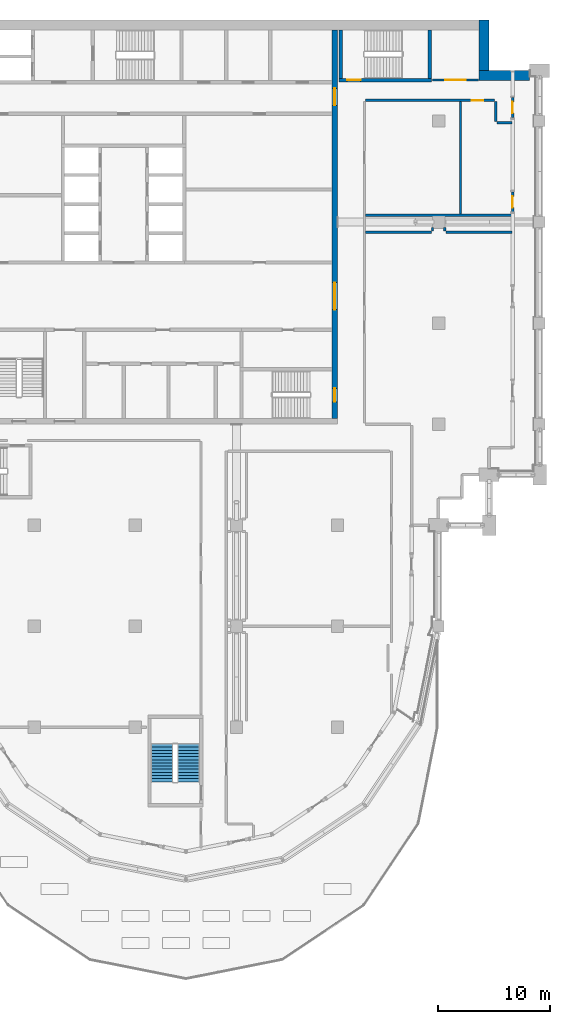
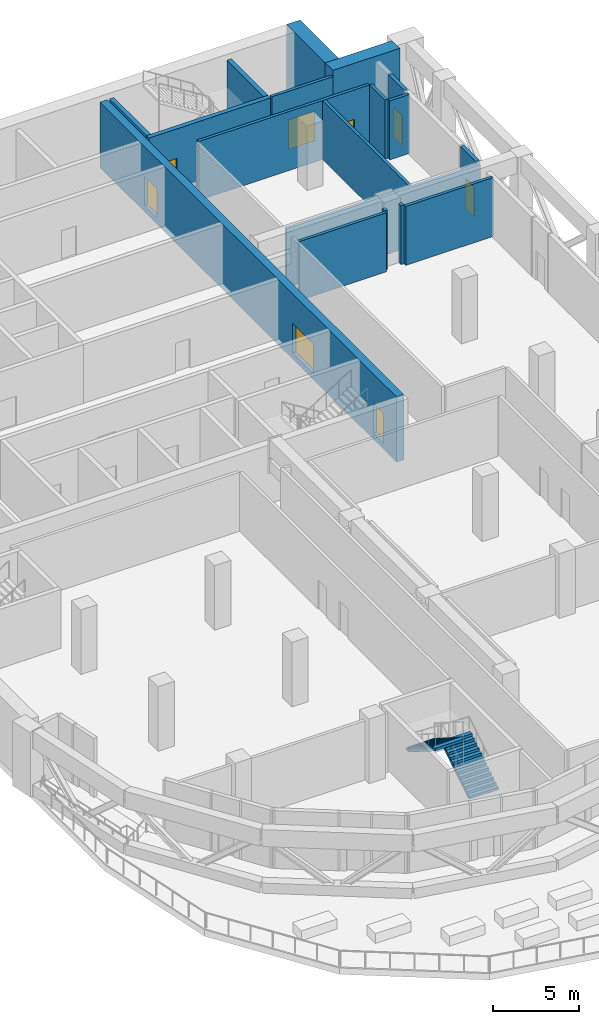
# One storey, part 9 of 16: 18 walls, 8 doors, 2 stair flights, 8 openings, 1 element without a shape of its own.
"""IFC4 building model written with IfcOpenShell, lengths in metres."""

from ifc_helpers import new_model, si_unit, direction, frame, frame_2d, origin, place, context, subcontext, project, spatial, polyline, rectangle, outline, extrude, material, layer, layer_set, type_object, element, fill, aggregate, save


model = new_model("IFC4")

# Units and contexts
model_context = context("Model", 3, precision=1e-05, world=origin(), true_north=direction((0.0, 1.0)))
body_context = subcontext(model_context, "Body", "Model", "MODEL_VIEW")
ifc_project = project(units=[si_unit("LENGTHUNIT", "METRE"), si_unit("AREAUNIT", "SQUARE_METRE"), si_unit("VOLUMEUNIT", "CUBIC_METRE"), si_unit("PLANEANGLEUNIT", "RADIAN"), si_unit("MASSUNIT", "GRAM", prefix="KILO")], contexts=[model_context])

# Site, building, storey
site_placement = place(None, origin())
site = spatial("IfcSite", under=ifc_project, at=site_placement, CompositionType="ELEMENT")
building_placement = place(site_placement, origin())
building = spatial("IfcBuilding", under=site, at=building_placement, Name="Hunhe Ridgeline Campus", CompositionType="ELEMENT")
storey_placement = place(building_placement, frame((0.0, 0.0, 227.199951171875)))
storey = spatial("IfcBuildingStorey", under=building, at=storey_placement, Name="L58", CompositionType="ELEMENT", Elevation=227.199951171875)

# Wall, openings, doors
ifc_material_1 = material(Name="Concrete C50", Category="concrete")
ifc_layer_1 = layer(ifc_material_1, 0.5)
ifc_layer_set_1 = layer_set([ifc_layer_1], Name="Core wall 500 reinforced concrete C50")
wall_type_1 = type_object("IfcWallType", Name="Core wall 500 reinforced concrete C50", PredefinedType="SOLIDWALL", material=ifc_layer_set_1)
wall_1_placement = place(storey_placement, frame((35.75, 63.5, -0.449951171875), z_axis=(0.0, 0.0, 1.0), x_axis=(0.0, 1.0, 0.0)))
wall_1 = element("IfcWall", 1, at=wall_1_placement, inside=storey, type_object=wall_type_1, Name="L58 core wall 49", PredefinedType="SOLIDWALL", context=body_context, shape_type="SweptSolid", body=[
    extrude(rectangle(XDim=34.60009765625, YDim=0.5, at=frame_2d((17.300048828125, 0.0))), origin(), (0.0, 0.0, 1.0), 4.64990234375),
])
opening_1_placement = place(wall_1_placement, frame((9.699951171875, 0.0, 0.449951171875)))
opening_1 = element("IfcOpeningElement", 2, at=opening_1_placement, cuts=wall_1, Name="Opening CD4", PredefinedType="OPENING", context=body_context, shape_type="SweptSolid", body=[
    extrude(rectangle(XDim=2.39990234375, YDim=2.10009765625, at=frame_2d((1.199951171875, 1.050048828125))), frame((0.0, 0.25, 0.0), z_axis=(0.0, -1.0, 0.0), x_axis=(1.0, 0.0, 0.0)), (0.0, 0.0, 1.0), 0.5),
])
opening_2_placement = place(wall_1_placement, frame((27.89990234375, 0.0, 0.449951171875)))
opening_2 = element("IfcOpeningElement", 3, at=opening_2_placement, cuts=wall_1, Name="Opening CD5", PredefinedType="OPENING", context=body_context, shape_type="SweptSolid", body=[
    extrude(rectangle(XDim=1.5, YDim=2.10009765625, at=frame_2d((0.75, 1.050048828125))), frame((0.0, 0.25, 0.0), z_axis=(0.0, -1.0, 0.0), x_axis=(1.0, 0.0, 0.0)), (0.0, 0.0, 1.0), 0.5),
])
opening_3_placement = place(wall_1_placement, frame((1.5, 0.0, 0.449951171875)))
opening_3 = element("IfcOpeningElement", 4, at=opening_3_placement, cuts=wall_1, Name="Opening CD15", PredefinedType="OPENING", context=body_context, shape_type="SweptSolid", body=[
    extrude(rectangle(XDim=1.199951171875, YDim=2.10009765625, at=frame_2d((0.60009765625, 1.050048828125))), frame((0.0, 0.25, 0.0), z_axis=(0.0, -1.0, 0.0), x_axis=(1.0, 0.0, 0.0)), (0.0, 0.0, 1.0), 0.5),
])
ifc_material_2 = material(Name="Anodised aluminium and glass", Category="aluminium")
door_type_1 = type_object("IfcDoorType", Name="Glazed double door 2400x2100", OperationType="DOUBLE_DOOR_SINGLE_SWING", PredefinedType="DOOR", material=ifc_material_2)
door_1_placement = place(opening_1_placement, frame((2.39990234375, 0.0, 0.0), z_axis=(0.0, 0.0, 1.0), x_axis=(-1.0, 0.0, 0.0)))
door_1 = element("IfcDoor", 5, at=door_1_placement, inside=storey, type_object=door_type_1, Name="L58 door HALL-FLOOR", OperationType="DOUBLE_DOOR_SINGLE_SWING", OverallHeight=2.10009765625, OverallWidth=2.39990234375, PredefinedType="DOOR", context=body_context, shape_type="SweptSolid", body=[
    extrude(rectangle(XDim=2.39990234375, YDim=2.10009765625, at=frame_2d((1.199951171875, 1.050048828125))), frame((0.0, 0.02490234375, 0.0), z_axis=(0.0, -1.0, 0.0), x_axis=(1.0, 0.0, 0.0)), (0.0, 0.0, 1.0), 0.050048828125),
])
fill(opening_1, door_1)
ifc_material_3 = material(Name="Hollow metal fire door leaf")
door_type_2 = type_object("IfcDoorType", Name="Stair door 1200x2100 FD60", OperationType="SINGLE_SWING_LEFT", PredefinedType="DOOR", material=ifc_material_3)
door_2_placement = place(opening_3_placement, frame((1.199951171875, 0.0, 0.0), z_axis=(0.0, 0.0, 1.0), x_axis=(-1.0, 0.0, 0.0)))
door_2 = element("IfcDoor", 6, at=door_2_placement, inside=storey, type_object=door_type_2, Name="L58 door S2-FLOOR", OperationType="SINGLE_SWING_LEFT", OverallHeight=2.10009765625, OverallWidth=1.199951171875, PredefinedType="DOOR", context=body_context, shape_type="SweptSolid", body=[
    extrude(rectangle(XDim=1.199951171875, YDim=2.10009765625, at=frame_2d((0.60009765625, 1.050048828125))), frame((0.0, 0.02490234375, 0.0), z_axis=(0.0, -1.0, 0.0), x_axis=(1.0, 0.0, 0.0)), (0.0, 0.0, 1.0), 0.050048828125),
])
fill(opening_3, door_2)
ifc_material_4 = material(Name="Solid core timber door leaf", Category="wood")
door_type_3 = type_object("IfcDoorType", Name="Timber door 1500x2100", OperationType="SINGLE_SWING_LEFT", PredefinedType="DOOR", material=ifc_material_4)
door_3_placement = place(opening_2_placement, frame((1.5, 0.0, 0.0), z_axis=(0.0, 0.0, 1.0), x_axis=(-1.0, 0.0, 0.0)))
door_3 = element("IfcDoor", 7, at=door_3_placement, inside=storey, type_object=door_type_3, Name="L58 door C1-FLOOR", OperationType="SINGLE_SWING_LEFT", OverallHeight=2.10009765625, OverallWidth=1.5, PredefinedType="DOOR", context=body_context, shape_type="SweptSolid", body=[
    extrude(rectangle(XDim=1.5, YDim=2.10009765625, at=frame_2d((0.75, 1.050048828125))), frame((0.0, 0.02490234375, 0.0), z_axis=(0.0, -1.0, 0.0), x_axis=(1.0, 0.0, 0.0)), (0.0, 0.0, 1.0), 0.050048828125),
])
fill(opening_2, door_3)

# Walls
ifc_material_5 = material(Name="Gypsum board partition")
ifc_layer_2 = layer(ifc_material_5, 0.199951171875)
ifc_layer_set_2 = layer_set([ifc_layer_2], Name="Corridor partition 200 gypsum board on steel studs")
wall_type_2 = type_object("IfcWallType", Name="Corridor partition 200 gypsum board on steel studs", PredefinedType="PARTITIONING", material=ifc_layer_set_2)
wall_2_placement = place(storey_placement, frame((38.5, 80.10009765625, 0.0), z_axis=(0.0, 0.0, 1.0), x_axis=(1.0, 0.0, 0.0)))
element("IfcWall", 8, at=wall_2_placement, inside=storey, type_object=wall_type_2, Name="F-L58-wall-020", PredefinedType="PARTITIONING", context=body_context, shape_type="SweptSolid", body=[
    extrude(rectangle(XDim=5.85009765625, YDim=0.199951171875, at=frame_2d((2.925048828125, 0.0))), origin(), (0.0, 0.0, 1.0), 4.199951171875),
])
wall_3_placement = place(storey_placement, frame((45.64990234375, 80.10009765625, 0.0), z_axis=(0.0, 0.0, 1.0), x_axis=(1.0, 0.0, 0.0)))
element("IfcWall", 9, at=wall_3_placement, inside=storey, type_object=wall_type_2, Name="F-L58-wall-021", PredefinedType="PARTITIONING", context=body_context, shape_type="SweptSolid", body=[
    extrude(rectangle(XDim=5.89501953125, YDim=0.199951171875, at=frame_2d((2.947509765625, 0.0))), origin(), (0.0, 0.0, 1.0), 4.199951171875),
])
wall_4_placement = place(storey_placement, frame((38.5, 81.60009765625, 0.0), z_axis=(0.0, 0.0, 1.0), x_axis=(1.0, 0.0, 0.0)))
element("IfcWall", 10, at=wall_4_placement, inside=storey, type_object=wall_type_2, Name="F-L58-wall-022", PredefinedType="PARTITIONING", context=body_context, shape_type="SweptSolid", body=[
    extrude(rectangle(XDim=13.044921875, YDim=0.199951171875, at=frame_2d((6.5224609375, 0.0))), origin(), (0.0, 0.0, 1.0), 4.199951171875),
])
wall_5_placement = place(storey_placement, frame((51.544921875, 89.85009765625, 0.0), z_axis=(0.0, 0.0, 1.0), x_axis=(-1.0, 0.0, 0.0)))
element("IfcWall", 11, at=wall_5_placement, inside=storey, type_object=wall_type_2, Name="F-L58-wall-023", PredefinedType="PARTITIONING", context=body_context, shape_type="SweptSolid", body=[
    extrude(rectangle(XDim=1.345947265625, YDim=0.199951171875, at=frame_2d((0.6728515625, 0.0))), origin(), (0.0, 0.0, 1.0), 4.199951171875),
])

# Wall, opening, door
wall_6_placement = place(storey_placement, frame((49.9990234375, 91.85009765625, 0.0), z_axis=(0.0, 0.0, 1.0), x_axis=(-1.0, 0.0, 0.0)))
wall_6 = element("IfcWall", 12, at=wall_6_placement, inside=storey, type_object=wall_type_2, Name="F-L58-wall-024", PredefinedType="PARTITIONING", context=body_context, shape_type="SweptSolid", body=[
    extrude(rectangle(XDim=11.4990234375, YDim=0.199951171875, at=frame_2d((5.74951171875, 0.0))), origin(), (0.0, 0.0, 1.0), 4.199951171875),
])
opening_4_placement = place(wall_6_placement, frame((1.033203125, 0.0, 0.0)))
opening_4 = element("IfcOpeningElement", 13, at=opening_4_placement, cuts=wall_6, Name="Opening RD1-011", PredefinedType="OPENING", context=body_context, shape_type="SweptSolid", body=[
    extrude(rectangle(XDim=1.0, YDim=2.10009765625, at=frame_2d((0.5, 1.050048828125))), frame((0.0, 0.10009765625, 0.0), z_axis=(0.0, -1.0, 0.0), x_axis=(1.0, 0.0, 0.0)), (0.0, 0.0, 1.0), 0.199951171875),
])
ifc_material_6 = material(Name="Timber door leaf", Category="wood")
door_type_4 = type_object("IfcDoorType", Name="Single fire door 1000x2100 timber FD60", OperationType="NOTDEFINED", PredefinedType="DOOR", material=ifc_material_6)
door_4_placement = place(opening_4_placement, frame((1.0, 0.0, 0.0), z_axis=(0.0, 0.0, 1.0), x_axis=(-1.0, 0.0, 0.0)))
door_4 = element("IfcDoor", 14, at=door_4_placement, inside=storey, type_object=door_type_4, Name="F-L58-door-011", OperationType="SINGLE_SWING_RIGHT", OverallHeight=2.10009765625, OverallWidth=1.0, PredefinedType="DOOR", context=body_context, shape_type="SweptSolid", body=[
    extrude(rectangle(XDim=1.0, YDim=2.10009765625, at=frame_2d((0.5, 1.050048828125))), frame((0.0, 0.02490234375, 0.0), z_axis=(0.0, -1.0, 0.0), x_axis=(1.0, 0.0, 0.0)), (0.0, 0.0, 1.0), 0.050048828125),
])
fill(opening_4, door_4)

wall_7_placement = place(storey_placement, frame((44.4541015625, 93.64990234375, 0.0), z_axis=(0.0, 0.0, 1.0), x_axis=(1.0, 0.0, 0.0)))
wall_7 = element("IfcWall", 15, at=wall_7_placement, inside=storey, type_object=wall_type_2, Name="F-L58-wall-025", PredefinedType="PARTITIONING", context=body_context, shape_type="SweptSolid", body=[
    extrude(rectangle(XDim=4.121826171875, YDim=0.199951171875, at=frame_2d((2.06103515625, 0.0))), origin(), (0.0, 0.0, 1.0), 4.199951171875),
])
opening_5_placement = place(wall_7_placement, frame((1.160888671875, 0.0, 0.0)))
opening_5 = element("IfcOpeningElement", 16, at=opening_5_placement, cuts=wall_7, Name="Opening RD2-012", PredefinedType="OPENING", context=body_context, shape_type="SweptSolid", body=[
    extrude(rectangle(XDim=1.800048828125, YDim=2.10009765625, at=frame_2d((0.89990234375, 1.050048828125))), frame((0.0, 0.10009765625, 0.0), z_axis=(0.0, -1.0, 0.0), x_axis=(1.0, 0.0, 0.0)), (0.0, 0.0, 1.0), 0.199951171875),
])
door_type_5 = type_object("IfcDoorType", Name="Double fire door 1800x2100 timber FD60", OperationType="DOUBLE_DOOR_SINGLE_SWING", PredefinedType="DOOR", material=ifc_material_6)
door_5_placement = place(opening_5_placement, origin())
door_5 = element("IfcDoor", 17, at=door_5_placement, inside=storey, type_object=door_type_5, Name="F-L58-door-012", OperationType="DOUBLE_DOOR_SINGLE_SWING", OverallHeight=2.10009765625, OverallWidth=1.800048828125, PredefinedType="DOOR", context=body_context, shape_type="SweptSolid", body=[
    extrude(rectangle(XDim=1.800048828125, YDim=2.10009765625, at=frame_2d((0.89990234375, 1.050048828125))), frame((0.0, 0.02490234375, 0.0), z_axis=(0.0, -1.0, 0.0), x_axis=(1.0, 0.0, 0.0)), (0.0, 0.0, 1.0), 0.050048828125),
])
fill(opening_5, door_5)

# Walls
for number, where, z_axis, x_axis, name in (
    (18, (44.449951171875, 80.5, 0.0), (0.0, 0.0, 1.0), (0.0, -1.0, 0.0), "F-L58-wall-038"),
    (19, (45.550048828125, 80.5, 0.0), (0.0, 0.0, 1.0), (0.0, -1.0, 0.0), "F-L58-wall-039"),
):
    element("IfcWall", number, at=place(storey_placement, frame(where, z_axis=z_axis, x_axis=x_axis)), inside=storey, type_object=wall_type_2, Name=name, PredefinedType="PARTITIONING", context=body_context, shape_type="SweptSolid", body=[
        extrude(rectangle(XDim=0.300048828125, YDim=0.199951171875, at=frame_2d((0.14990234375, 0.0))), origin(), (0.0, 0.0, 1.0), 4.199951171875),
    ])
wall_8_placement = place(storey_placement, frame((46.943115234375, 91.75, 0.0), z_axis=(0.0, 0.0, 1.0), x_axis=(0.0, -1.0, 0.0)))
element("IfcWall", 20, at=wall_8_placement, inside=storey, type_object=wall_type_2, Name="F-L58-wall-040", PredefinedType="PARTITIONING", context=body_context, shape_type="SweptSolid", body=[
    extrude(rectangle(XDim=10.050048828125, YDim=0.199951171875, at=frame_2d((5.02490234375, 0.0))), origin(), (0.0, 0.0, 1.0), 4.199951171875),
])
wall_9_placement = place(storey_placement, frame((50.09912109375, 89.949951171875, 0.0), z_axis=(0.0, 0.0, 1.0), x_axis=(0.0, 1.0, 0.0)))
element("IfcWall", 21, at=wall_9_placement, inside=storey, type_object=wall_type_2, Name="F-L58-wall-041", PredefinedType="PARTITIONING", context=body_context, shape_type="SweptSolid", body=[
    extrude(rectangle(XDim=1.800048828125, YDim=0.199951171875, at=frame_2d((0.89990234375, 0.0))), origin(), (0.0, 0.0, 1.0), 4.199951171875),
])

# Wall, opening, door
ifc_material_7 = material(Name="Concrete C30", Category="concrete")
ifc_layer_3 = layer(ifc_material_7, 0.25)
ifc_layer_set_3 = layer_set([ifc_layer_3], Name="Loggia door pier wall 250 Concrete C30")
wall_type_3 = type_object("IfcWallType", Name="Loggia door pier wall 250 Concrete C30", PredefinedType="SOLIDWALL", material=ifc_layer_set_3)
wall_10_placement = place(storey_placement, frame((51.59912109375, 81.900390625, 0.0), z_axis=(0.0, 0.0, 1.0), x_axis=(0.0, 1.0, 0.0)))
wall_10 = element("IfcWall", 22, at=wall_10_placement, inside=storey, type_object=wall_type_3, Name="Loggia door pier 12", PredefinedType="SOLIDWALL", context=body_context, shape_type="SweptSolid", body=[
    extrude(rectangle(XDim=1.800048828125, YDim=0.25, at=frame_2d((0.89990234375, 0.0))), origin(), (0.0, 0.0, 1.0), 4.199951171875),
])
opening_6_placement = place(wall_10_placement, frame((0.39990234375, 0.0, 0.0)))
opening_6 = element("IfcOpeningElement", 23, at=opening_6_placement, cuts=wall_10, Name="Opening BR512", PredefinedType="OPENING", context=body_context, shape_type="SweptSolid", body=[
    extrude(rectangle(XDim=1.0, YDim=2.10009765625, at=frame_2d((0.5, 1.050048828125))), frame((0.0, 0.125, 0.0), z_axis=(0.0, -1.0, 0.0), x_axis=(1.0, 0.0, 0.0)), (0.0, 0.0, 1.0), 0.25),
])
ifc_material_8 = material(Name="Aluminium 6063", Category="aluminium")
door_type_6 = type_object("IfcDoorType", Name="Loggia glazed door 1000x2100", OperationType="NOTDEFINED", PredefinedType="DOOR", material=ifc_material_8)
door_6_placement = place(opening_6_placement, frame((1.0, 0.0, 0.0), z_axis=(0.0, 0.0, 1.0), x_axis=(-1.0, 0.0, 0.0)))
door_6 = element("IfcDoor", 24, at=door_6_placement, inside=storey, type_object=door_type_6, Name="Loggia door BR512", OperationType="SINGLE_SWING_LEFT", OverallHeight=2.10009765625, OverallWidth=1.0, PredefinedType="DOOR", context=body_context, shape_type="SweptSolid", body=[
    extrude(rectangle(XDim=1.0, YDim=2.10009765625, at=frame_2d((0.5, 1.050048828125))), frame((0.0, 0.02490234375, 0.0), z_axis=(0.0, -1.0, 0.0), x_axis=(1.0, 0.0, 0.0)), (0.0, 0.0, 1.0), 0.050048828125),
])
fill(opening_6, door_6)

wall_11_placement = place(storey_placement, frame((51.59912109375, 90.300048828125, 0.0), z_axis=(0.0, 0.0, 1.0), x_axis=(0.0, 1.0, 0.0)))
wall_11 = element("IfcWall", 25, at=wall_11_placement, inside=storey, type_object=wall_type_3, Name="Loggia door pier 13", PredefinedType="SOLIDWALL", context=body_context, shape_type="SweptSolid", body=[
    extrude(rectangle(XDim=1.800048828125, YDim=0.25, at=frame_2d((0.89990234375, 0.0))), origin(), (0.0, 0.0, 1.0), 4.199951171875),
])
opening_7_placement = place(wall_11_placement, frame((0.39990234375, 0.0, 0.0)))
opening_7 = element("IfcOpeningElement", 26, at=opening_7_placement, cuts=wall_11, Name="Opening BR513", PredefinedType="OPENING", context=body_context, shape_type="SweptSolid", body=[
    extrude(rectangle(XDim=1.0, YDim=2.10009765625, at=frame_2d((0.5, 1.050048828125))), frame((0.0, 0.125, 0.0), z_axis=(0.0, -1.0, 0.0), x_axis=(1.0, 0.0, 0.0)), (0.0, 0.0, 1.0), 0.25),
])
door_7_placement = place(opening_7_placement, frame((1.0, 0.0, 0.0), z_axis=(0.0, 0.0, 1.0), x_axis=(-1.0, 0.0, 0.0)))
door_7 = element("IfcDoor", 27, at=door_7_placement, inside=storey, type_object=door_type_6, Name="Loggia door BR513", OperationType="SINGLE_SWING_RIGHT", OverallHeight=2.10009765625, OverallWidth=1.0, PredefinedType="DOOR", context=body_context, shape_type="SweptSolid", body=[
    extrude(rectangle(XDim=1.0, YDim=2.10009765625, at=frame_2d((0.5, 1.050048828125))), frame((0.0, 0.02490234375, 0.0), z_axis=(0.0, -1.0, 0.0), x_axis=(1.0, 0.0, 0.0)), (0.0, 0.0, 1.0), 0.050048828125),
])
fill(opening_7, door_7)

# Walls
ifc_material_9 = material(Name="Concrete C60", Category="concrete")
ifc_layer_4 = layer(ifc_material_9, 0.89990234375)
ifc_layer_set_4 = layer_set([ifc_layer_4], Name="Spine wall 900 Concrete C60")
wall_type_4 = type_object("IfcWallType", Name="Spine wall 900 Concrete C60", PredefinedType="SHEAR", material=ifc_layer_set_4)
wall_12_placement = place(storey_placement, frame((53.10009765625, 94.050048828125, 0.0), z_axis=(0.0, 0.0, 1.0), x_axis=(-1.0, 0.0, 0.0)))
element("IfcWall", 28, at=wall_12_placement, inside=storey, type_object=wall_type_4, Name="Spine wall SW3-2 L58", PredefinedType="SHEAR", context=body_context, shape_type="SweptSolid", body=[
    extrude(rectangle(XDim=4.5, YDim=0.89990234375, at=frame_2d((2.25, 0.0))), origin(), (0.0, 0.0, 1.0), 4.60009765625),
])
wall_13_placement = place(storey_placement, frame((49.050048828125, 93.60009765625, 0.0), z_axis=(0.0, 0.0, 1.0), x_axis=(0.0, 1.0, 0.0)))
element("IfcWall", 29, at=wall_13_placement, inside=storey, type_object=wall_type_4, Name="Spine wall SW3-3 L58", PredefinedType="SHEAR", context=body_context, shape_type="SweptSolid", body=[
    extrude(rectangle(XDim=5.39990234375, YDim=0.89990234375, at=frame_2d((2.699951171875, 0.0))), origin(), (0.0, 0.0, 1.0), 4.60009765625),
])

# Wall, opening, door
ifc_layer_5 = layer(ifc_material_1, 0.300048828125)
ifc_layer_set_5 = layer_set([ifc_layer_5], Name="Stair wall 300 reinforced concrete C50")
wall_type_5 = type_object("IfcWallType", Name="Stair wall 300 reinforced concrete C50", PredefinedType="SOLIDWALL", material=ifc_layer_set_5)
wall_14_placement = place(storey_placement, frame((36.14990234375, 93.64990234375, -0.449951171875), z_axis=(0.0, 0.0, 1.0), x_axis=(1.0, 0.0, 0.0)))
wall_14 = element("IfcWall", 30, at=wall_14_placement, inside=storey, type_object=wall_type_5, Name="L58 core wall 24", PredefinedType="SOLIDWALL", context=body_context, shape_type="SweptSolid", body=[
    extrude(rectangle(XDim=8.2001953125, YDim=0.300048828125, at=frame_2d((4.10009765625, 0.0))), origin(), (0.0, 0.0, 1.0), 4.64990234375),
])
opening_8_placement = place(wall_14_placement, frame((0.699951171875, 0.0, 0.449951171875)))
opening_8 = element("IfcOpeningElement", 31, at=opening_8_placement, cuts=wall_14, Name="Opening CD17", PredefinedType="OPENING", context=body_context, shape_type="SweptSolid", body=[
    extrude(rectangle(XDim=1.199951171875, YDim=2.10009765625, at=frame_2d((0.60009765625, 1.050048828125))), frame((0.0, 0.14990234375, 0.0), z_axis=(0.0, -1.0, 0.0), x_axis=(1.0, 0.0, 0.0)), (0.0, 0.0, 1.0), 0.300048828125),
])
door_8_placement = place(opening_8_placement, frame((1.199951171875, 0.0, 0.0), z_axis=(0.0, 0.0, 1.0), x_axis=(-1.0, 0.0, 0.0)))
door_8 = element("IfcDoor", 32, at=door_8_placement, inside=storey, type_object=door_type_2, Name="L58 door E1", OperationType="SINGLE_SWING_LEFT", OverallHeight=2.10009765625, OverallWidth=1.199951171875, PredefinedType="DOOR", context=body_context, shape_type="SweptSolid", body=[
    extrude(rectangle(XDim=1.199951171875, YDim=2.10009765625, at=frame_2d((0.60009765625, 1.050048828125))), frame((0.0, 0.02490234375, 0.0), z_axis=(0.0, -1.0, 0.0), x_axis=(1.0, 0.0, 0.0)), (0.0, 0.0, 1.0), 0.050048828125),
])
fill(opening_8, door_8)

# Walls
for number, where, z_axis, x_axis, name in (
    (33, (36.300048828125, 93.800048828125, -0.449951171875), (0.0, 0.0, 1.0), (0.0, 1.0, 0.0), "L58 core wall 50"),
    (34, (44.199951171875, 93.800048828125, -0.449951171875), (0.0, 0.0, 1.0), (0.0, 1.0, 0.0), "L58 core wall 51"),
):
    element("IfcWall", number, at=place(storey_placement, frame(where, z_axis=z_axis, x_axis=x_axis)), inside=storey, type_object=wall_type_5, Name=name, PredefinedType="SOLIDWALL", context=body_context, shape_type="SweptSolid", body=[
        extrude(rectangle(XDim=4.300048828125, YDim=0.300048828125, at=frame_2d((2.14990234375, 0.0))), origin(), (0.0, 0.0, 1.0), 4.64990234375),
    ])

# Stair, stair flights
ifc_material_10 = material(Name="Concrete C40", Category="concrete")
stair_type = type_object("IfcStairType", Name="Reinforced concrete dog-leg stair 1950 Concrete C40", PredefinedType="HALF_TURN_STAIR", material=ifc_material_10)
stair_placement = place(storey_placement, origin())
stair = element("IfcStair", 35, at=stair_placement, inside=storey, type_object=stair_type, Name="L58 W3", PredefinedType="HALF_TURN_STAIR")
stair_flight_type = type_object("IfcStairFlightType", Name="Reinforced concrete stair flight 1950 Concrete C40", PredefinedType="STRAIGHT", material=ifc_material_10)
stair_flight_1_placement = place(storey_placement, frame((22.72509765625, 31.14990234375, 0.0), z_axis=(0.0, 0.0, 1.0), x_axis=(0.0, 1.0, 0.0)))
stair_flight_1 = element("IfcStairFlight", 36, at=stair_flight_1_placement, type_object=stair_flight_type, Name="ST9 flight 1", NumberOfRisers=13, NumberOfTreads=12, PredefinedType="STRAIGHT", RiserHeight=0.176923077, TreadLength=0.28, context=body_context, shape_type="SweptSolid", body=[
    extrude(outline(polyline([(0.0, 0.0), (0.0, 0.177001953125), (0.280029296875, 0.177001953125), (0.280029296875, 0.353759765625), (0.56005859375, 0.353759765625), (0.56005859375, 0.53076171875), (0.840087890625, 0.53076171875), (0.840087890625, 0.707763671875), (1.1201171875, 0.707763671875), (1.1201171875, 0.884521484375), (1.39990234375, 0.884521484375), (1.39990234375, 1.0615234375), (1.679931640625, 1.0615234375), (1.679931640625, 1.238525390625), (1.9599609375, 1.238525390625), (1.9599609375, 1.415283203125), (2.239990234375, 1.415283203125), (2.239990234375, 1.59228515625), (2.52001953125, 1.59228515625), (2.52001953125, 1.769287109375), (2.800048828125, 1.769287109375), (2.800048828125, 1.946044921875), (3.080078125, 1.946044921875), (3.080078125, 2.123046875), (3.360107421875, 2.123046875), (3.360107421875, 2.300048828125), (3.360107421875, 1.94580078125), (0.280517578125, 0.0), (0.0, 0.0)])), frame((0.0, 0.97509765625, 0.0), z_axis=(0.0, -1.0, 0.0), x_axis=(1.0, 0.0, 0.0)), (0.0, 0.0, 1.0), 1.949951171875),
    extrude(outline(polyline([(0.030029296875, 0.030029296875), (0.030029296875, 0.14697265625), (0.31005859375, 0.14697265625), (0.31005859375, 0.32373046875), (0.590087890625, 0.32373046875), (0.590087890625, 0.500732421875), (0.8701171875, 0.500732421875), (0.8701171875, 0.677734375), (1.14990234375, 0.677734375), (1.14990234375, 0.8544921875), (1.429931640625, 0.8544921875), (1.429931640625, 1.031494140625), (1.7099609375, 1.031494140625), (1.7099609375, 1.20849609375), (1.989990234375, 1.20849609375), (1.989990234375, 1.385498046875), (2.27001953125, 1.385498046875), (2.27001953125, 1.562255859375), (2.550048828125, 1.562255859375), (2.550048828125, 1.7392578125), (2.830078125, 1.7392578125), (2.830078125, 1.916259765625), (3.110107421875, 1.916259765625), (3.110107421875, 2.093017578125), (3.330078125, 2.093017578125), (3.330078125, 1.96240234375), (0.27197265625, 0.030029296875), (0.030029296875, 0.030029296875)])), frame((0.0, -0.070068359375, 0.0), z_axis=(0.0, -1.0, 0.0), x_axis=(1.0, 0.0, 0.0)), (0.0, 0.0, 1.0), 0.019775390625),
    extrude(outline(polyline([(0.030029296875, 0.030029296875), (0.030029296875, 0.14697265625), (0.31005859375, 0.14697265625), (0.31005859375, 0.32373046875), (0.590087890625, 0.32373046875), (0.590087890625, 0.500732421875), (0.8701171875, 0.500732421875), (0.8701171875, 0.677734375), (1.14990234375, 0.677734375), (1.14990234375, 0.8544921875), (1.429931640625, 0.8544921875), (1.429931640625, 1.031494140625), (1.7099609375, 1.031494140625), (1.7099609375, 1.20849609375), (1.989990234375, 1.20849609375), (1.989990234375, 1.385498046875), (2.27001953125, 1.385498046875), (2.27001953125, 1.562255859375), (2.550048828125, 1.562255859375), (2.550048828125, 1.7392578125), (2.830078125, 1.7392578125), (2.830078125, 1.916259765625), (3.110107421875, 1.916259765625), (3.110107421875, 2.093017578125), (3.330078125, 2.093017578125), (3.330078125, 1.96240234375), (0.27197265625, 0.030029296875), (0.030029296875, 0.030029296875)])), frame((0.0, 0.010009765625, 0.0), z_axis=(0.0, -1.0, 0.0), x_axis=(1.0, 0.0, 0.0)), (0.0, 0.0, 1.0), 0.019775390625),
    extrude(outline(polyline([(0.030029296875, 0.030029296875), (0.030029296875, 0.14697265625), (0.31005859375, 0.14697265625), (0.31005859375, 0.32373046875), (0.590087890625, 0.32373046875), (0.590087890625, 0.500732421875), (0.8701171875, 0.500732421875), (0.8701171875, 0.677734375), (1.14990234375, 0.677734375), (1.14990234375, 0.8544921875), (1.429931640625, 0.8544921875), (1.429931640625, 1.031494140625), (1.7099609375, 1.031494140625), (1.7099609375, 1.20849609375), (1.989990234375, 1.20849609375), (1.989990234375, 1.385498046875), (2.27001953125, 1.385498046875), (2.27001953125, 1.562255859375), (2.550048828125, 1.562255859375), (2.550048828125, 1.7392578125), (2.830078125, 1.7392578125), (2.830078125, 1.916259765625), (3.110107421875, 1.916259765625), (3.110107421875, 2.093017578125), (3.330078125, 2.093017578125), (3.330078125, 1.96240234375), (0.27197265625, 0.030029296875), (0.030029296875, 0.030029296875)])), frame((0.0, 0.090087890625, 0.0), z_axis=(0.0, -1.0, 0.0), x_axis=(1.0, 0.0, 0.0)), (0.0, 0.0, 1.0), 0.019775390625),
])
stair_flight_2_placement = place(storey_placement, frame((20.375, 34.510009765625, 2.300048828125), z_axis=(0.0, 0.0, 1.0), x_axis=(0.0, -1.0, 0.0)))
stair_flight_2 = element("IfcStairFlight", 37, at=stair_flight_2_placement, type_object=stair_flight_type, Name="ST9 flight 2", NumberOfRisers=13, NumberOfTreads=12, PredefinedType="STRAIGHT", RiserHeight=0.176923077, TreadLength=0.28, context=body_context, shape_type="SweptSolid", body=[
    extrude(outline(polyline([(0.0, 0.0), (0.0, 0.177001953125), (0.280029296875, 0.177001953125), (0.280029296875, 0.353759765625), (0.56005859375, 0.353759765625), (0.56005859375, 0.53076171875), (0.840087890625, 0.53076171875), (0.840087890625, 0.707763671875), (1.1201171875, 0.707763671875), (1.1201171875, 0.884521484375), (1.39990234375, 0.884521484375), (1.39990234375, 1.0615234375), (1.679931640625, 1.0615234375), (1.679931640625, 1.238525390625), (1.9599609375, 1.238525390625), (1.9599609375, 1.415283203125), (2.239990234375, 1.415283203125), (2.239990234375, 1.59228515625), (2.52001953125, 1.59228515625), (2.52001953125, 1.769287109375), (2.800048828125, 1.769287109375), (2.800048828125, 1.946044921875), (3.080078125, 1.946044921875), (3.080078125, 2.123046875), (3.360107421875, 2.123046875), (3.360107421875, 2.300048828125), (3.360107421875, 1.94580078125), (0.280517578125, 0.0), (0.0, 0.0)])), frame((0.0, 0.97509765625, 0.0), z_axis=(0.0, -1.0, 0.0), x_axis=(1.0, 0.0, 0.0)), (0.0, 0.0, 1.0), 1.949951171875),
    extrude(outline(polyline([(0.030029296875, 0.030029296875), (0.030029296875, 0.14697265625), (0.31005859375, 0.14697265625), (0.31005859375, 0.32373046875), (0.590087890625, 0.32373046875), (0.590087890625, 0.500732421875), (0.8701171875, 0.500732421875), (0.8701171875, 0.677734375), (1.14990234375, 0.677734375), (1.14990234375, 0.8544921875), (1.429931640625, 0.8544921875), (1.429931640625, 1.031494140625), (1.7099609375, 1.031494140625), (1.7099609375, 1.20849609375), (1.989990234375, 1.20849609375), (1.989990234375, 1.385498046875), (2.27001953125, 1.385498046875), (2.27001953125, 1.562255859375), (2.550048828125, 1.562255859375), (2.550048828125, 1.7392578125), (2.830078125, 1.7392578125), (2.830078125, 1.916259765625), (3.110107421875, 1.916259765625), (3.110107421875, 2.093017578125), (3.330078125, 2.093017578125), (3.330078125, 1.96240234375), (0.27197265625, 0.030029296875), (0.030029296875, 0.030029296875)])), frame((0.0, -0.070068359375, 0.0), z_axis=(0.0, -1.0, 0.0), x_axis=(1.0, 0.0, 0.0)), (0.0, 0.0, 1.0), 0.019775390625),
    extrude(outline(polyline([(0.030029296875, 0.030029296875), (0.030029296875, 0.14697265625), (0.31005859375, 0.14697265625), (0.31005859375, 0.32373046875), (0.590087890625, 0.32373046875), (0.590087890625, 0.500732421875), (0.8701171875, 0.500732421875), (0.8701171875, 0.677734375), (1.14990234375, 0.677734375), (1.14990234375, 0.8544921875), (1.429931640625, 0.8544921875), (1.429931640625, 1.031494140625), (1.7099609375, 1.031494140625), (1.7099609375, 1.20849609375), (1.989990234375, 1.20849609375), (1.989990234375, 1.385498046875), (2.27001953125, 1.385498046875), (2.27001953125, 1.562255859375), (2.550048828125, 1.562255859375), (2.550048828125, 1.7392578125), (2.830078125, 1.7392578125), (2.830078125, 1.916259765625), (3.110107421875, 1.916259765625), (3.110107421875, 2.093017578125), (3.330078125, 2.093017578125), (3.330078125, 1.96240234375), (0.27197265625, 0.030029296875), (0.030029296875, 0.030029296875)])), frame((0.0, 0.010009765625, 0.0), z_axis=(0.0, -1.0, 0.0), x_axis=(1.0, 0.0, 0.0)), (0.0, 0.0, 1.0), 0.019775390625),
    extrude(outline(polyline([(0.030029296875, 0.030029296875), (0.030029296875, 0.14697265625), (0.31005859375, 0.14697265625), (0.31005859375, 0.32373046875), (0.590087890625, 0.32373046875), (0.590087890625, 0.500732421875), (0.8701171875, 0.500732421875), (0.8701171875, 0.677734375), (1.14990234375, 0.677734375), (1.14990234375, 0.8544921875), (1.429931640625, 0.8544921875), (1.429931640625, 1.031494140625), (1.7099609375, 1.031494140625), (1.7099609375, 1.20849609375), (1.989990234375, 1.20849609375), (1.989990234375, 1.385498046875), (2.27001953125, 1.385498046875), (2.27001953125, 1.562255859375), (2.550048828125, 1.562255859375), (2.550048828125, 1.7392578125), (2.830078125, 1.7392578125), (2.830078125, 1.916259765625), (3.110107421875, 1.916259765625), (3.110107421875, 2.093017578125), (3.330078125, 2.093017578125), (3.330078125, 1.96240234375), (0.27197265625, 0.030029296875), (0.030029296875, 0.030029296875)])), frame((0.0, 0.090087890625, 0.0), z_axis=(0.0, -1.0, 0.0), x_axis=(1.0, 0.0, 0.0)), (0.0, 0.0, 1.0), 0.019775390625),
])
aggregate(stair, [stair_flight_1, stair_flight_2])

save(model, "model.ifc")
